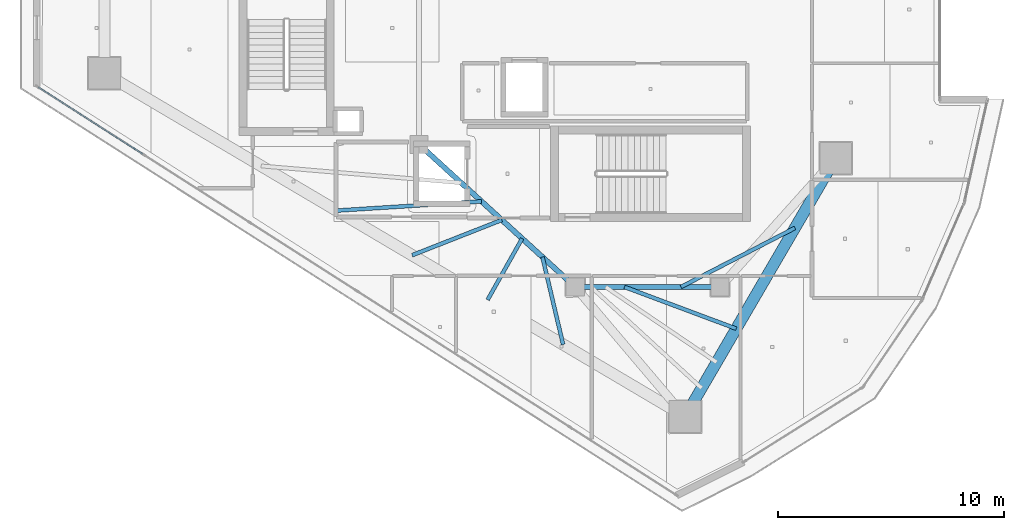
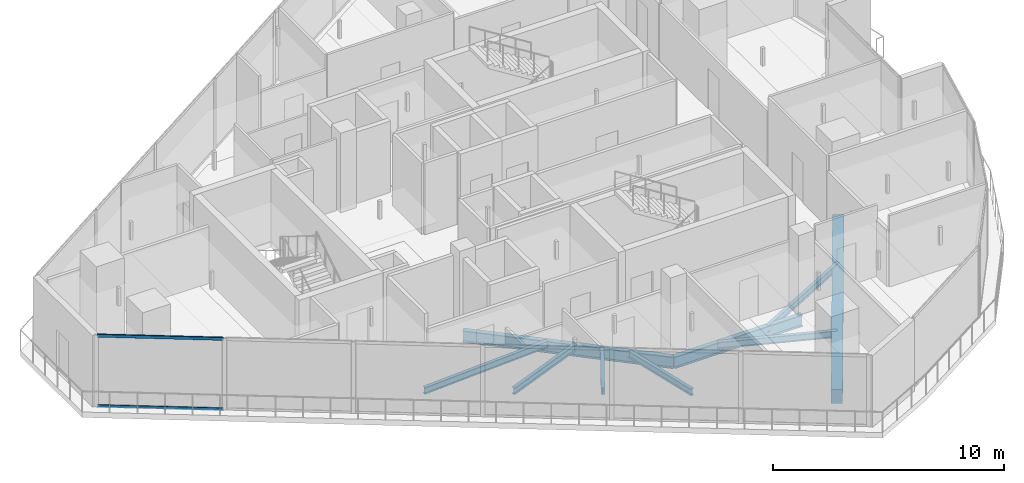
# One storey, part 7 of 26: 9 beams, 2 members, 1 element without a shape of its own.
"""IFC4 building model written with IfcOpenShell, lengths in metres."""

from ifc_helpers import new_model, si_unit, direction, frame, origin, origin_2d, place, context, subcontext, project, spatial, rectangle, hollow_rectangle, i_section, extrude, material, layer, layer_set, material_profile, profile_set, type_object, element, aggregate, save


model = new_model("IFC4")

# Units and contexts
model_context = context("Model", 3, precision=1e-05, world=origin(), true_north=direction((0.0, 1.0)))
body_context = subcontext(model_context, "Body", "Model", "MODEL_VIEW")
ifc_project = project(units=[si_unit("LENGTHUNIT", "METRE"), si_unit("AREAUNIT", "SQUARE_METRE"), si_unit("VOLUMEUNIT", "CUBIC_METRE"), si_unit("PLANEANGLEUNIT", "RADIAN"), si_unit("MASSUNIT", "GRAM", prefix="KILO")], contexts=[model_context])

# Site, building, storey
site_placement = place(None, origin())
site = spatial("IfcSite", under=ifc_project, at=site_placement, CompositionType="ELEMENT")
building_placement = place(site_placement, origin())
building = spatial("IfcBuilding", under=site, at=building_placement, Name="Qorvath Tower", CompositionType="ELEMENT")
storey_placement = place(building_placement, frame((0.0, 0.0, 322.800048828125)))
storey = spatial("IfcBuildingStorey", under=building, at=storey_placement, Name="L75", CompositionType="ELEMENT", Elevation=322.800048828125)

# Beams
ifc_material_1 = material(Name="Steel ASTM A992 Grade 50", Category="steel")
ifc_material_profile_1 = material_profile(ifc_material_1, i_section(OverallWidth=0.22998046875, OverallDepth=0.616943359375, WebThickness=0.01318359375, FlangeThickness=0.022216796875, FilletRadius=0.014892578125, at=origin_2d()), Name="W24x94")
ifc_profile_set_1 = profile_set([ifc_material_profile_1], Name="Steel ASTM A992 Grade 50")
beam_type_1 = type_object("IfcBeamType", Name="BM-FG6", PredefinedType="BEAM", material=ifc_profile_set_1)
beam_1_placement = place(storey_placement, frame((-17.199951171875, -11.449951171875, -0.5986328125), z_axis=(-1.0, 0.0, 0.0), x_axis=(0.0, -1.0, 0.0)))
element("IfcBeam", 1, at=beam_1_placement, inside=storey, type_object=beam_type_1, Name="Core Ring Girder CC3-CC4 L75", PredefinedType="BEAM", context=body_context, shape_type="SweptSolid", body=[
    extrude(i_section(OverallWidth=0.22998046875, OverallDepth=0.616943359375, WebThickness=0.01318359375, FlangeThickness=0.022216796875, FilletRadius=0.014892578125, at=origin_2d()), origin(), (0.0, 0.0, 1.0), 6.400146484375),
])
beam_2_placement = place(storey_placement, frame((-23.60009765625, -11.449951171875, -0.5986328125), z_axis=(-0.73847813985, 0.6742774184, 0.0), x_axis=(-0.6742774184, -0.73847813985, 0.0)))
element("IfcBeam", 2, at=beam_2_placement, inside=storey, type_object=beam_type_1, Name="Core Ring Girder CC4-CC6 L75", PredefinedType="BEAM", context=body_context, shape_type="SweptSolid", body=[
    extrude(i_section(OverallWidth=0.22998046875, OverallDepth=0.616943359375, WebThickness=0.01318359375, FlangeThickness=0.022216796875, FilletRadius=0.014892578125, at=origin_2d()), origin(), (0.0, 0.0, 1.0), 9.343505859375),
])
ifc_material_2 = material(Name="Steel ASTM A992 Grade 50", Category="steel")
ifc_material_profile_2 = material_profile(ifc_material_2, i_section(OverallWidth=0.1708984375, OverallDepth=0.35107421875, WebThickness=0.0068359375, FlangeThickness=0.009765625, FilletRadius=0.010009765625, at=origin_2d()), Name="W14x30")
ifc_profile_set_2 = profile_set([ifc_material_profile_2], Name="Steel ASTM A992 Grade 50")
beam_type_2 = type_object("IfcBeamType", Name="BM-FJ4", PredefinedType="JOIST", material=ifc_profile_set_2)
beam_3_placement = place(storey_placement, frame((-18.927978515625, -11.449951171875, -0.465576171875), z_axis=(0.887840529015, 0.460151274082, 0.0), x_axis=(-0.460151274082, 0.887840529015, 0.0)))
element("IfcBeam", 3, at=beam_3_placement, inside=storey, type_object=beam_type_2, Name="Composite Floor Joist SE2 L75", PredefinedType="JOIST", context=body_context, shape_type="SweptSolid", body=[
    extrude(i_section(OverallWidth=0.1708984375, OverallDepth=0.35107421875, WebThickness=0.0068359375, FlangeThickness=0.009765625, FilletRadius=0.010009765625, at=origin_2d()), origin(), (0.0, 0.0, 1.0), 5.670654296875),
])
beam_4_placement = place(storey_placement, frame((-21.424072265625, -11.449951171875, -0.465576171875), z_axis=(0.936775909139, -0.349929844478, 0.0), x_axis=(0.349929844478, 0.936775909139, 0.0)))
element("IfcBeam", 4, at=beam_4_placement, inside=storey, type_object=beam_type_2, Name="Composite Floor Joist SE5 L75", PredefinedType="JOIST", context=body_context, shape_type="SweptSolid", body=[
    extrude(i_section(OverallWidth=0.1708984375, OverallDepth=0.35107421875, WebThickness=0.0068359375, FlangeThickness=0.009765625, FilletRadius=0.010009765625, at=origin_2d()), origin(), (0.0, 0.0, 1.0), 5.268798828125),
])
beam_5_placement = place(storey_placement, frame((-27.739990234375, -7.669921875, -0.465576171875), z_axis=(-0.998006998641, -0.063103333222, 0.0), x_axis=(0.063103333222, -0.998006998641, 0.0)))
element("IfcBeam", 5, at=beam_5_placement, inside=storey, type_object=beam_type_2, Name="Composite Floor Joist SW3 L75", PredefinedType="JOIST", context=body_context, shape_type="SweptSolid", body=[
    extrude(i_section(OverallWidth=0.1708984375, OverallDepth=0.35107421875, WebThickness=0.0068359375, FlangeThickness=0.009765625, FilletRadius=0.010009765625, at=origin_2d()), origin(), (0.0, 0.0, 1.0), 6.41455078125),
])
beam_6_placement = place(storey_placement, frame((-26.843017578125, -8.489013671875, -0.465576171875), z_axis=(-0.930720832638, -0.365730408489, 0.0), x_axis=(0.365730408489, -0.930720832638, 0.0)))
element("IfcBeam", 6, at=beam_6_placement, inside=storey, type_object=beam_type_2, Name="Composite Floor Joist SW4 L75", PredefinedType="JOIST", context=body_context, shape_type="SweptSolid", body=[
    extrude(i_section(OverallWidth=0.1708984375, OverallDepth=0.35107421875, WebThickness=0.0068359375, FlangeThickness=0.009765625, FilletRadius=0.010009765625, at=origin_2d()), origin(), (0.0, 0.0, 1.0), 4.259033203125),
])
beam_7_placement = place(storey_placement, frame((-25.946044921875, -9.30810546875, -0.465576171875), z_axis=(-0.490626385489, -0.871370041866, 0.0), x_axis=(0.871370041866, -0.490626385489, 0.0)))
element("IfcBeam", 7, at=beam_7_placement, inside=storey, type_object=beam_type_2, Name="Composite Floor Joist SW5 L75", PredefinedType="JOIST", context=body_context, shape_type="SweptSolid", body=[
    extrude(i_section(OverallWidth=0.1708984375, OverallDepth=0.35107421875, WebThickness=0.0068359375, FlangeThickness=0.009765625, FilletRadius=0.010009765625, at=origin_2d()), origin(), (0.0, 0.0, 1.0), 3.110595703125),
])
beam_8_placement = place(storey_placement, frame((-25.049072265625, -10.126953125, -0.465576171875), z_axis=(0.22966321917, -0.973270160726, 0.0), x_axis=(0.973270160726, 0.22966321917, 0.0)))
element("IfcBeam", 8, at=beam_8_placement, inside=storey, type_object=beam_type_2, Name="Composite Floor Joist SW6 L75", PredefinedType="JOIST", context=body_context, shape_type="SweptSolid", body=[
    extrude(i_section(OverallWidth=0.1708984375, OverallDepth=0.35107421875, WebThickness=0.0068359375, FlangeThickness=0.009765625, FilletRadius=0.010009765625, at=origin_2d()), origin(), (0.0, 0.0, 1.0), 3.969482421875),
])
ifc_material_3 = material(Name="Concrete C45/55", Category="concrete")
ifc_material_profile_3 = material_profile(ifc_material_3, rectangle(XDim=0.5, YDim=0.75, at=origin_2d()), Name="RCB 750x500")
ifc_profile_set_3 = profile_set([ifc_material_profile_3], Name="Concrete C45/55")
beam_type_3 = type_object("IfcBeamType", Name="BM-RCB3", PredefinedType="SPANDREL", material=ifc_profile_set_3)
beam_9_placement = place(storey_placement, frame((-18.75048828125, -17.175537109375, -0.6650390625), z_axis=(0.503502256692, 0.863993910572, 0.0), x_axis=(-0.863993910572, 0.503502256692, 0.0)))
element("IfcBeam", 9, at=beam_9_placement, inside=storey, type_object=beam_type_3, Name="Perimeter Loggia Frame Beam MC3-MC4 L75", PredefinedType="SPANDREL", context=body_context, shape_type="SweptSolid", body=[
    extrude(rectangle(XDim=0.5, YDim=0.75, at=origin_2d()), origin(), (0.0, 0.0, 1.0), 13.215087890625),
])

# Curtain wall, members
ifc_material_4 = material(Name="Anodised aluminium and triple low-E glass", Category="aluminium")
ifc_layer = layer(ifc_material_4, 0.179931640625)
ifc_layer_set = layer_set([ifc_layer], Name="CW-SYS-4")
curtain_wall_type = type_object("IfcCurtainWallType", Name="CW-SYS-4", PredefinedType="NOTDEFINED", material=ifc_layer_set)
curtain_wall_placement = place(storey_placement, origin())
curtain_wall = element("IfcCurtainWall", 10, at=curtain_wall_placement, inside=storey, type_object=curtain_wall_type, Name="Curtain Wall CW-4 CW-T-L75-2.1", PredefinedType="NOTDEFINED")
ifc_material_5 = material(Name="Anodised aluminium 6063-T6", Category="aluminium")
ifc_material_profile_4 = material_profile(ifc_material_5, hollow_rectangle(XDim=0.06494140625, YDim=0.159912109375, WallThickness=0.00341796875, InnerFilletRadius=0.00341796875, OuterFilletRadius=0.007080078125, at=origin_2d()), Name="CWT 160x65")
ifc_profile_set_4 = profile_set([ifc_material_profile_4], Name="Anodised aluminium 6063-T6")
member_type = type_object("IfcMemberType", Name="CWT-160", PredefinedType="USERDEFINED", material=ifc_profile_set_4)
member_1_placement = place(storey_placement, frame((-47.330078125, -2.622314453125, 0.032470703125), z_axis=(0.842579475749, -0.538572025866, 0.0), x_axis=(0.538572025866, 0.842579475749, 0.0)))
member_1 = element("IfcMember", 11, at=member_1_placement, type_object=member_type, Name="CW-4 transom 1.1", ObjectType="TRANSOM", PredefinedType="USERDEFINED", context=body_context, shape_type="SweptSolid", body=[
    extrude(hollow_rectangle(XDim=0.06494140625, YDim=0.159912109375, WallThickness=0.00341796875, InnerFilletRadius=0.00341796875, OuterFilletRadius=0.007080078125, at=origin_2d()), origin(), (0.0, 0.0, 1.0), 5.48095703125),
])
member_2_placement = place(storey_placement, frame((-47.330078125, -2.622314453125, 3.74755859375), z_axis=(0.842579475749, -0.538572025866, 0.0), x_axis=(0.538572025866, 0.842579475749, 0.0)))
member_2 = element("IfcMember", 12, at=member_2_placement, type_object=member_type, Name="CW-4 transom 1.2", ObjectType="TRANSOM", PredefinedType="USERDEFINED", context=body_context, shape_type="SweptSolid", body=[
    extrude(hollow_rectangle(XDim=0.06494140625, YDim=0.159912109375, WallThickness=0.00341796875, InnerFilletRadius=0.00341796875, OuterFilletRadius=0.007080078125, at=origin_2d()), origin(), (0.0, 0.0, 1.0), 5.48095703125),
])
aggregate(curtain_wall, [member_1, member_2])

save(model, "model.ifc")
